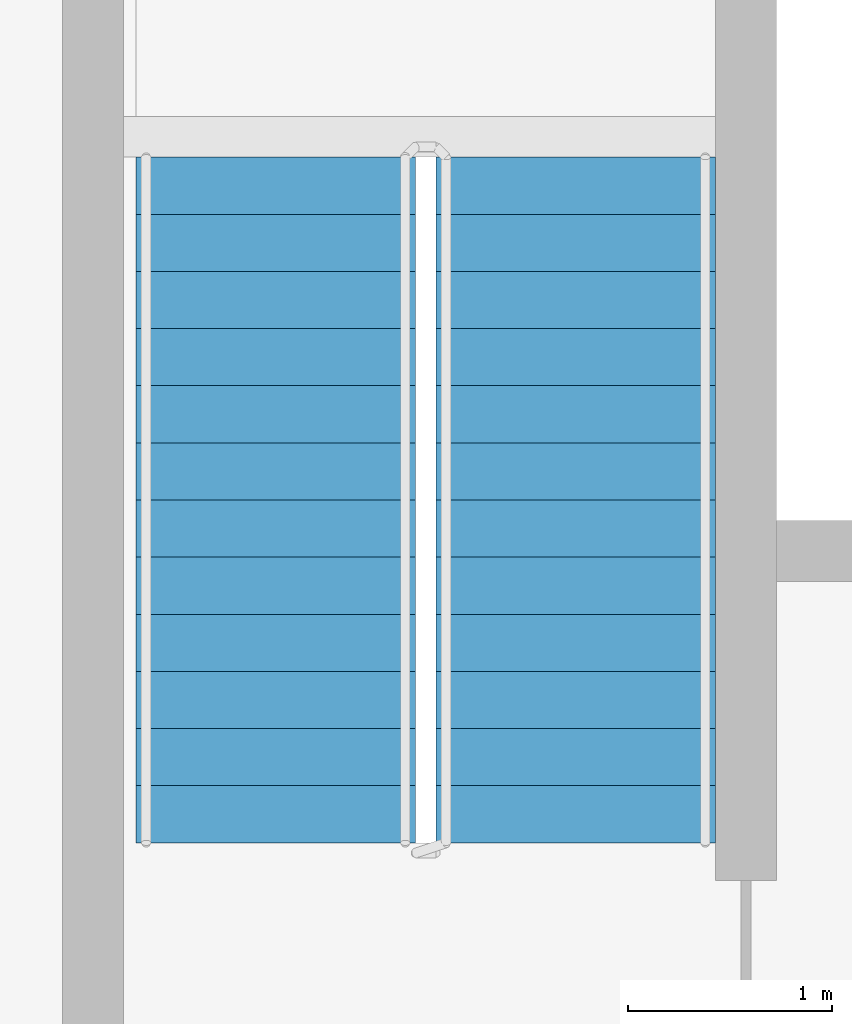
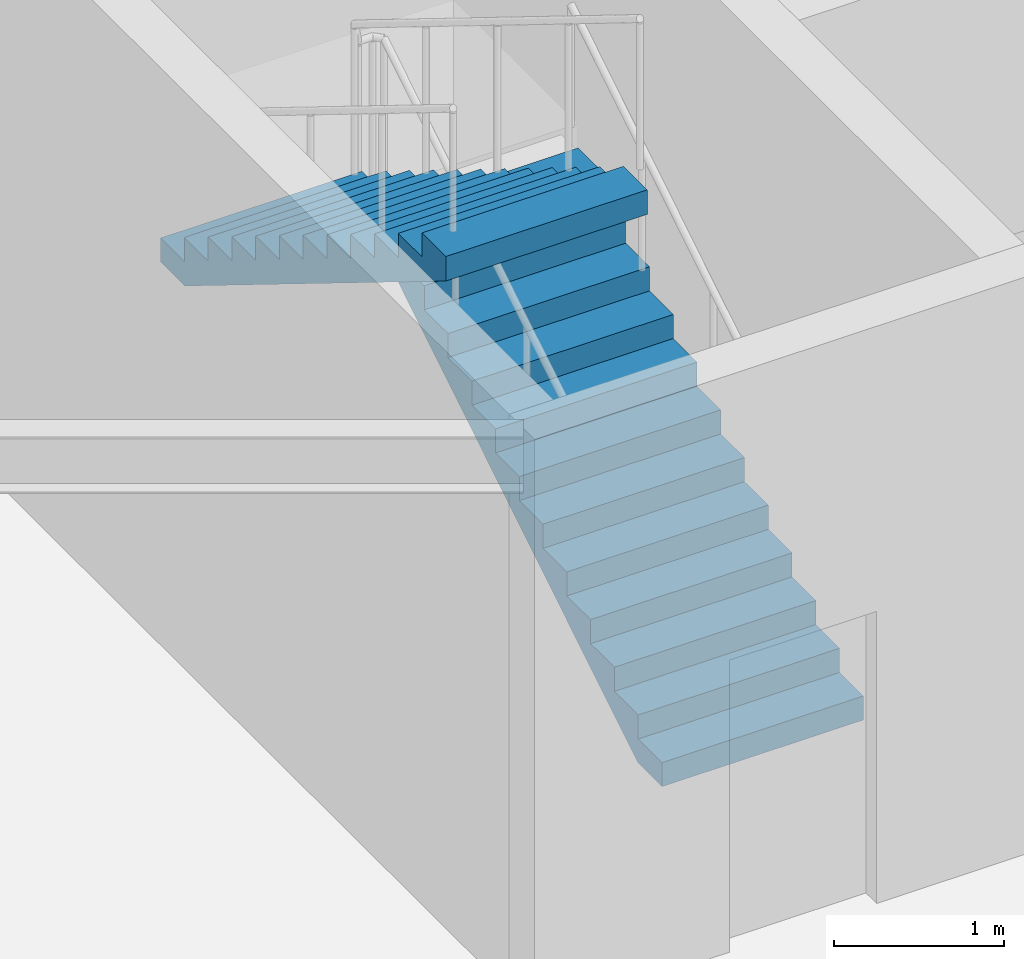
# One storey, part 5 of 7: 2 stair flights, 1 element without a shape of its own.
"""IFC4 building model written with IfcOpenShell, lengths in metres."""

from ifc_helpers import new_model, si_unit, direction, frame, origin, place, context, subcontext, project, spatial, polyline, outline, extrude, material, type_object, element, aggregate, save


model = new_model("IFC4")

# Units and contexts
model_context = context("Model", 3, precision=1e-05, world=origin(), true_north=direction((0.0, 1.0)))
body_context = subcontext(model_context, "Body", "Model", "MODEL_VIEW")
ifc_project = project(units=[si_unit("LENGTHUNIT", "METRE"), si_unit("AREAUNIT", "SQUARE_METRE"), si_unit("VOLUMEUNIT", "CUBIC_METRE"), si_unit("PLANEANGLEUNIT", "RADIAN"), si_unit("MASSUNIT", "GRAM", prefix="KILO")], contexts=[model_context])

# Site, building, storey
site_placement = place(None, origin())
site = spatial("IfcSite", under=ifc_project, at=site_placement, CompositionType="ELEMENT")
building_placement = place(site_placement, origin())
building = spatial("IfcBuilding", under=site, at=building_placement, Name="Firuza Gate Tower and Library", CompositionType="ELEMENT")
storey_placement = place(building_placement, frame((0.0, 0.0, -9.5)))
storey = spatial("IfcBuildingStorey", under=building, at=storey_placement, Name="B2", CompositionType="ELEMENT", Elevation=-9.5)

# Stair, stair flights
ifc_material_1 = material(Name="Concrete C35/45", Category="concrete")
stair_type = type_object("IfcStairType", Name="Exit stair ST10", PredefinedType="HALF_TURN_STAIR", material=ifc_material_1)
stair_placement = place(storey_placement, origin())
stair = element("IfcStair", 1, at=stair_placement, inside=storey, type_object=stair_type, Name="B2 Stair ST3", PredefinedType="HALF_TURN_STAIR")
ifc_material_2 = material(Name="Concrete C35/45", Category="concrete")
stair_flight_type = type_object("IfcStairFlightType", Name="Stair flight 13 risers 173.1 width 1370", PredefinedType="STRAIGHT", material=ifc_material_2)
stair_flight_1_placement = place(storey_placement, frame((74.31494140625, 89.469970703125, 0.0), z_axis=(0.0, 0.0, 1.0), x_axis=(0.0, 1.0, 0.0)))
stair_flight_1 = element("IfcStairFlight", 2, at=stair_flight_1_placement, type_object=stair_flight_type, Name="ST3 flight 1", NumberOfRisers=13, NumberOfTreads=12, PredefinedType="STRAIGHT", RiserHeight=0.173076923, TreadLength=0.28, context=body_context, shape_type="SweptSolid", body=[
    extrude(outline(polyline([(0.0, 0.0), (0.0, 0.173095703125), (0.280029296875, 0.173095703125), (0.280029296875, 0.34619140625), (0.56005859375, 0.34619140625), (0.56005859375, 0.519287109375), (0.840087890625, 0.519287109375), (0.840087890625, 0.6923828125), (1.1201171875, 0.6923828125), (1.1201171875, 0.865478515625), (1.39990234375, 0.865478515625), (1.39990234375, 1.03857421875), (1.679931640625, 1.03857421875), (1.679931640625, 1.21142578125), (1.9599609375, 1.21142578125), (1.9599609375, 1.384521484375), (2.239990234375, 1.384521484375), (2.239990234375, 1.5576171875), (2.52001953125, 1.5576171875), (2.52001953125, 1.730712890625), (2.800048828125, 1.730712890625), (2.800048828125, 1.90380859375), (3.080078125, 1.90380859375), (3.080078125, 2.076904296875), (3.360107421875, 2.076904296875), (3.360107421875, 2.25), (3.360107421875, 1.900634765625), (0.28515625, 0.0), (0.0, 0.0)])), frame((0.0, 0.68505859375, 0.0), z_axis=(0.0, -1.0, 0.0), x_axis=(1.0, 0.0, 0.0)), (0.0, 0.0, 1.0), 1.3701171875),
])
stair_flight_2_placement = place(storey_placement, frame((72.844970703125, 92.830078125, 2.25), z_axis=(0.0, 0.0, 1.0), x_axis=(0.0, -1.0, 0.0)))
stair_flight_2 = element("IfcStairFlight", 3, at=stair_flight_2_placement, type_object=stair_flight_type, Name="ST3 flight 2", NumberOfRisers=13, NumberOfTreads=12, PredefinedType="STRAIGHT", RiserHeight=0.173076923, TreadLength=0.28, context=body_context, shape_type="SweptSolid", body=[
    extrude(outline(polyline([(0.0, 0.0), (0.0, 0.173095703125), (0.280029296875, 0.173095703125), (0.280029296875, 0.34619140625), (0.56005859375, 0.34619140625), (0.56005859375, 0.519287109375), (0.840087890625, 0.519287109375), (0.840087890625, 0.6923828125), (1.1201171875, 0.6923828125), (1.1201171875, 0.865478515625), (1.39990234375, 0.865478515625), (1.39990234375, 1.03857421875), (1.679931640625, 1.03857421875), (1.679931640625, 1.21142578125), (1.9599609375, 1.21142578125), (1.9599609375, 1.384521484375), (2.239990234375, 1.384521484375), (2.239990234375, 1.5576171875), (2.52001953125, 1.5576171875), (2.52001953125, 1.730712890625), (2.800048828125, 1.730712890625), (2.800048828125, 1.90380859375), (3.080078125, 1.90380859375), (3.080078125, 2.076904296875), (3.360107421875, 2.076904296875), (3.360107421875, 2.25), (3.360107421875, 1.900634765625), (0.28515625, 0.0), (0.0, 0.0)])), frame((0.0, 0.68505859375, 0.0), z_axis=(0.0, -1.0, 0.0), x_axis=(1.0, 0.0, 0.0)), (0.0, 0.0, 1.0), 1.3701171875),
])
aggregate(stair, [stair_flight_1, stair_flight_2])

save(model, "model.ifc")
